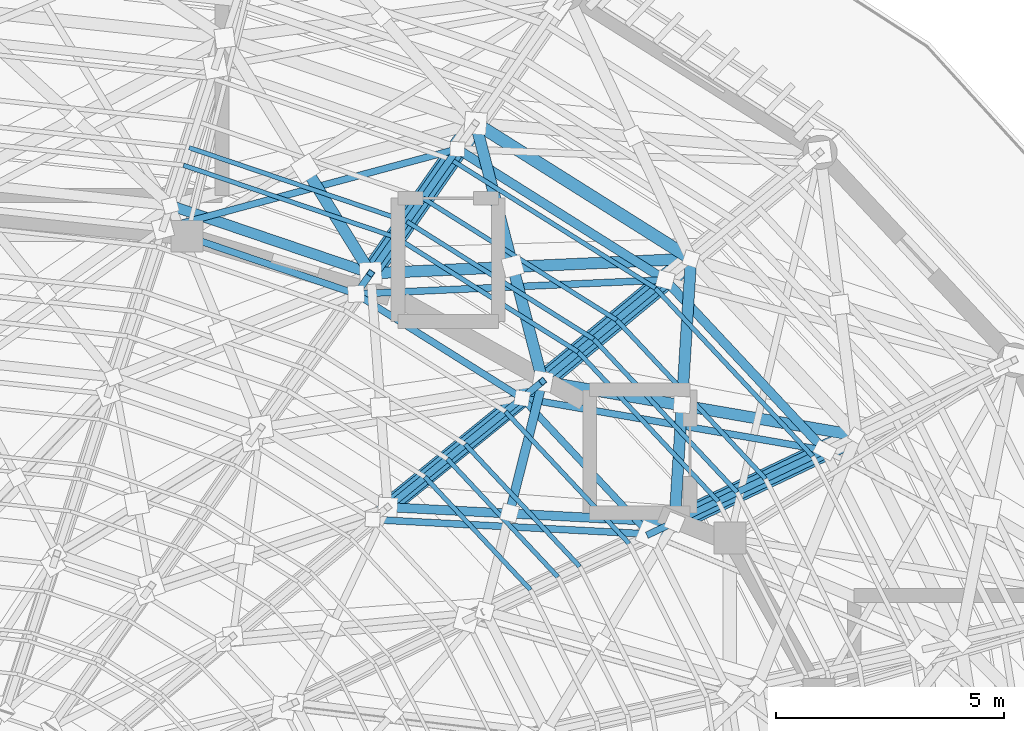
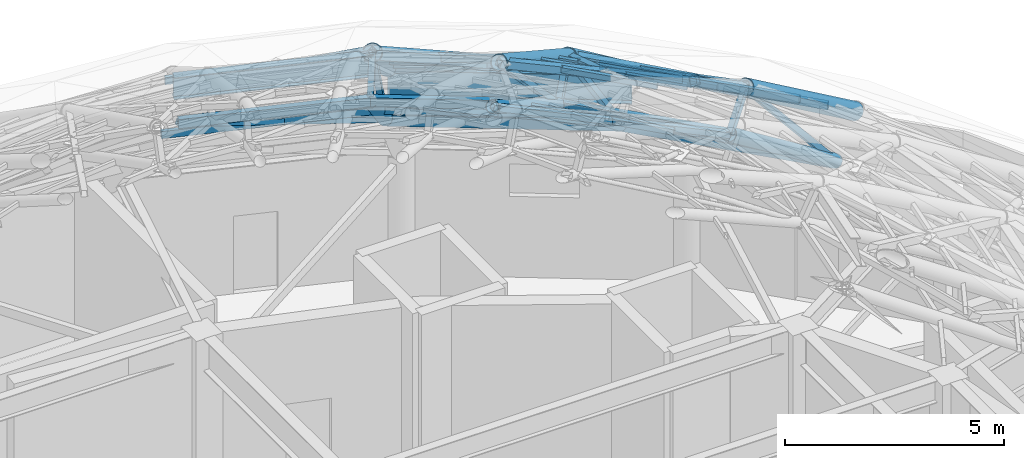
# One storey, part 32 of 50: 47 members, 2 beams.
"""IFC4 building model written with IfcOpenShell, lengths in metres."""

from ifc_helpers import new_model, si_unit, direction, frame, origin, origin_2d, place, context, subcontext, project, spatial, hollow_rectangle, hollow_circle, i_section, extrude, material, material_profile, profile_set, type_object, element, save


model = new_model("IFC4")

# Units and contexts
model_context = context("Model", 3, precision=1e-05, world=origin(), true_north=direction((0.0, 1.0)))
body_context = subcontext(model_context, "Body", "Model", "MODEL_VIEW")
ifc_project = project(units=[si_unit("LENGTHUNIT", "METRE"), si_unit("AREAUNIT", "SQUARE_METRE"), si_unit("VOLUMEUNIT", "CUBIC_METRE"), si_unit("PLANEANGLEUNIT", "RADIAN"), si_unit("MASSUNIT", "GRAM", prefix="KILO")], contexts=[model_context])

# Site, building, storey
site_placement = place(None, origin())
site = spatial("IfcSite", under=ifc_project, at=site_placement, CompositionType="ELEMENT")
building_placement = place(site_placement, origin())
building = spatial("IfcBuilding", under=site, at=building_placement, Name="Cinderbank Siding Concert Hall", CompositionType="ELEMENT")
storey_placement = place(building_placement, frame((0.0, 0.0, 23.699951171875)))
storey = spatial("IfcBuildingStorey", under=building, at=storey_placement, Name="L06", CompositionType="ELEMENT", Elevation=23.699951171875)

# Beams
ifc_material_1 = material(Name="Structural steel AS/NZS 3679.1 Grade 350 (340 MPa)", Category="steel")
ifc_material_profile_1 = material_profile(ifc_material_1, i_section(OverallWidth=0.22900390625, OverallDepth=0.611572265625, WebThickness=0.011962890625, FlangeThickness=0.01953125, at=origin_2d()), Name="610UB125", Category="LoadBearing")
ifc_profile_set_1 = profile_set([ifc_material_profile_1], Name="Structural steel AS/NZS 3679.1 Grade 350 (340 MPa)")
beam_type_1 = type_object("IfcBeamType", Name="BM-UB610H 610UB125", PredefinedType="BEAM", material=ifc_profile_set_1)
beam_1_placement = place(storey_placement, frame((131.10009765625, 56.90380859375, 10.994140625), z_axis=(-0.94703248812, 0.321137768636, 0.0), x_axis=(-0.321137768636, -0.94703248812, 0.0)))
element("IfcBeam", 1, at=beam_1_placement, inside=storey, type_object=beam_type_1, Name="L06 Beam BM-UB610H #2058", PredefinedType="BEAM", context=body_context, shape_type="SweptSolid", body=[
    extrude(i_section(OverallWidth=0.22900390625, OverallDepth=0.611572265625, WebThickness=0.011962890625, FlangeThickness=0.01953125, at=origin_2d()), origin(), (0.0, 0.0, 1.0), 4.63525390625),
])
ifc_material_2 = material(Name="Structural steel welded plate section AS/NZS 3679.2 / AS/NZS 3678 Grade 350 (340 MPa)", Category="steel")
ifc_material_profile_2 = material_profile(ifc_material_2, i_section(OverallWidth=0.27490234375, OverallDepth=0.800048828125, WebThickness=0.010009765625, FlangeThickness=0.01611328125, at=origin_2d()), Name="800WB146", Category="LoadBearing")
ifc_profile_set_2 = profile_set([ifc_material_profile_2], Name="Structural steel welded plate section AS/NZS 3679.2 / AS/NZS 3678 Grade 350 (340 MPa)")
beam_type_2 = type_object("IfcBeamType", Name="BM-WB800 800WB146", PredefinedType="BEAM", material=ifc_profile_set_2)
beam_2_placement = place(storey_placement, frame((138.1220703125, 57.222900390625, 7.699951171875), z_axis=(-0.846357040172, 0.532615959723, 0.0), x_axis=(-0.532615959723, -0.846357040172, 0.0)))
element("IfcBeam", 2, at=beam_2_placement, inside=storey, type_object=beam_type_2, Name="L06 Beam BM-WB800 #2036", PredefinedType="BEAM", context=body_context, shape_type="SweptSolid", body=[
    extrude(i_section(OverallWidth=0.27490234375, OverallDepth=0.800048828125, WebThickness=0.010009765625, FlangeThickness=0.01611328125, at=origin_2d()), origin(), (0.0, 0.0, 1.0), 5.579345703125),
])

# Members
ifc_material_3 = material(Name="Structural steel hollow section AS/NZS 1163 Grade C350L0 (350 MPa)", Category="steel")
ifc_material_profile_3 = material_profile(ifc_material_3, hollow_rectangle(XDim=0.14990234375, YDim=0.14990234375, WallThickness=0.008056640625, at=origin_2d()), Name="150x150x8.0SHS", Category="LoadBearing")
ifc_profile_set_3 = profile_set([ifc_material_profile_3], Name="Structural steel hollow section AS/NZS 1163 Grade C350L0 (350 MPa)")
member_type_1 = type_object("IfcMemberType", Name="BR-SHS150 150x150x8.0SHS Roof Truss", PredefinedType="BRACE", material=ifc_profile_set_3)
member_1_placement = place(storey_placement, frame((141.05419921875, 53.022705078125, 7.150146484375), z_axis=(-0.595826022207, -0.28461450653, 0.750989969263), x_axis=(0.431029288808, -0.902337936801, 0.0)))
element("IfcMember", 3, at=member_1_placement, inside=storey, type_object=member_type_1, Name="L06 Diagonal Brace BR-SHS150 #DWBD-BR-SHS150-L06-0842", PredefinedType="BRACE", context=body_context, shape_type="SweptSolid", body=[
    extrude(hollow_rectangle(XDim=0.14990234375, YDim=0.14990234375, WallThickness=0.008056640625, at=origin_2d()), origin(), (0.0, 0.0, 1.0), 5.52587890625),
])
member_2_placement = place(storey_placement, frame((141.05419921875, 53.022705078125, 7.150146484375), z_axis=(-0.89005157631, 0.153494434401, 0.42924078338), x_axis=(-0.169946985741, -0.985453206417, 0.0)))
element("IfcMember", 4, at=member_2_placement, inside=storey, type_object=member_type_1, Name="L06 Diagonal Brace BR-SHS150 #DBRI-BR-SHS150-L06-0851", PredefinedType="BRACE", context=body_context, shape_type="SweptSolid", body=[
    extrude(hollow_rectangle(XDim=0.14990234375, YDim=0.14990234375, WallThickness=0.008056640625, at=origin_2d()), origin(), (0.0, 0.0, 1.0), 7.454833984375),
])
member_3_placement = place(storey_placement, frame((137.557861328125, 56.760009765625, 7.150146484375), z_axis=(-0.495860875676, -0.410215453815, 0.765405300103), x_axis=(0.637427368277, -0.770510447801, 0.0)))
element("IfcMember", 5, at=member_3_placement, inside=storey, type_object=member_type_1, Name="L06 Diagonal Brace BR-SHS150 #DWBD-BR-SHS150-L06-0854", PredefinedType="BRACE", context=body_context, shape_type="SweptSolid", body=[
    extrude(hollow_rectangle(XDim=0.14990234375, YDim=0.14990234375, WallThickness=0.008056640625, at=origin_2d()), origin(), (0.0, 0.0, 1.0), 5.421875),
])
member_4_placement = place(storey_placement, frame((137.557861328125, 56.760009765625, 7.150146484375), z_axis=(-0.903486566452, -0.041046856906, 0.426646434158), x_axis=(0.045384804689, -0.998969578868, 0.0)))
element("IfcMember", 6, at=member_4_placement, inside=storey, type_object=member_type_1, Name="L06 Diagonal Brace BR-SHS150 #DBRI-BR-SHS150-L06-0863", PredefinedType="BRACE", context=body_context, shape_type="SweptSolid", body=[
    extrude(hollow_rectangle(XDim=0.14990234375, YDim=0.14990234375, WallThickness=0.008056640625, at=origin_2d()), origin(), (0.0, 0.0, 1.0), 7.500244140625),
])
member_5_placement = place(storey_placement, frame((133.0009765625, 59.6279296875, 7.150146484375), z_axis=(-0.357602166858, -0.512474310018, 0.780698899596), x_axis=(0.820080431066, -0.572248273551, 0.0)))
element("IfcMember", 7, at=member_5_placement, inside=storey, type_object=member_type_1, Name="L06 Diagonal Brace BR-SHS150 #DWBD-BR-SHS150-L06-0866", PredefinedType="BRACE", context=body_context, shape_type="SweptSolid", body=[
    extrude(hollow_rectangle(XDim=0.14990234375, YDim=0.14990234375, WallThickness=0.008056640625, at=origin_2d()), origin(), (0.0, 0.0, 1.0), 5.315673828125),
])
member_6_placement = place(storey_placement, frame((133.0009765625, 59.6279296875, 7.150146484375), z_axis=(-0.870943219989, -0.234658276888, 0.431733020098), x_axis=(0.260152884743, -0.965567437603, 0.0)))
element("IfcMember", 8, at=member_6_placement, inside=storey, type_object=member_type_1, Name="L06 Diagonal Brace BR-SHS150 #DBRI-BR-SHS150-L06-0875", PredefinedType="BRACE", context=body_context, shape_type="SweptSolid", body=[
    extrude(hollow_rectangle(XDim=0.14990234375, YDim=0.14990234375, WallThickness=0.008056640625, at=origin_2d()), origin(), (0.0, 0.0, 1.0), 7.411865234375),
])
member_7_placement = place(storey_placement, frame((137.2099609375, 51.189208984375, 10.35009765625), z_axis=(0.488677434703, 0.23093252224, 0.841346857713), x_axis=(-0.427260709515, 0.9041284677, 0.0)))
element("IfcMember", 9, at=member_7_placement, inside=storey, type_object=member_type_1, Name="L06 Diagonal Brace BR-SHS150 #DWBV-BR-SHS150-L06-1133", PredefinedType="BRACE", context=body_context, shape_type="SweptSolid", body=[
    extrude(hollow_rectangle(XDim=0.14990234375, YDim=0.14990234375, WallThickness=0.008056640625, at=origin_2d()), origin(), (0.0, 0.0, 1.0), 1.129150390625),
])
member_8_placement = place(storey_placement, frame((137.2099609375, 51.189208984375, 10.35009765625), z_axis=(-0.912563633328, 0.047633412445, 0.406151047206), x_axis=(-0.052126397388, -0.998640495221, 0.0)))
element("IfcMember", 10, at=member_8_placement, inside=storey, type_object=member_type_1, Name="L06 Diagonal Brace BR-SHS150 #DBRI-BR-SHS150-L06-1139", PredefinedType="BRACE", context=body_context, shape_type="SweptSolid", body=[
    extrude(hollow_rectangle(XDim=0.14990234375, YDim=0.14990234375, WallThickness=0.008056640625, at=origin_2d()), origin(), (0.0, 0.0, 1.0), 6.647705078125),
])
member_9_placement = place(storey_placement, frame((134.4189453125, 54.1669921875, 10.35009765625), z_axis=(-0.559402260271, -0.45390543328, 0.693569728898), x_axis=(0.630083355632, -0.776527504314, 0.0)))
element("IfcMember", 11, at=member_9_placement, inside=storey, type_object=member_type_1, Name="L06 Diagonal Brace BR-SHS150 #DWBD-BR-SHS150-L06-1142", PredefinedType="BRACE", context=body_context, shape_type="SweptSolid", body=[
    extrude(hollow_rectangle(XDim=0.14990234375, YDim=0.14990234375, WallThickness=0.008056640625, at=origin_2d()), origin(), (0.0, 0.0, 1.0), 5.262451171875),
])
member_10_placement = place(storey_placement, frame((134.4189453125, 54.1669921875, 10.35009765625), z_axis=(0.404280440723, 0.331093629232, 0.852604441655), x_axis=(-0.633603073906, 0.773658286801, 0.0)))
element("IfcMember", 12, at=member_10_placement, inside=storey, type_object=member_type_1, Name="L06 Diagonal Brace BR-SHS150 #DWBV-BR-SHS150-L06-1145", PredefinedType="BRACE", context=body_context, shape_type="SweptSolid", body=[
    extrude(hollow_rectangle(XDim=0.14990234375, YDim=0.14990234375, WallThickness=0.008056640625, at=origin_2d()), origin(), (0.0, 0.0, 1.0), 1.1142578125),
])
member_11_placement = place(storey_placement, frame((130.781494140625, 56.4521484375, 10.35009765625), z_axis=(0.289889748337, 0.41095481565, 0.864337939294), x_axis=(-0.817151439928, 0.57642304276, 0.0)))
element("IfcMember", 13, at=member_11_placement, inside=storey, type_object=member_type_1, Name="L06 Diagonal Brace BR-SHS150 #DWBV-BR-SHS150-L06-1157", PredefinedType="BRACE", context=body_context, shape_type="SweptSolid", body=[
    extrude(hollow_rectangle(XDim=0.14990234375, YDim=0.14990234375, WallThickness=0.008056640625, at=origin_2d()), origin(), (0.0, 0.0, 1.0), 1.09912109375),
])
ifc_material_profile_4 = material_profile(ifc_material_3, hollow_rectangle(XDim=0.199951171875, YDim=0.199951171875, WallThickness=0.009033203125, at=origin_2d()), Name="200x200x9.0SHS", Category="LoadBearing")
ifc_profile_set_4 = profile_set([ifc_material_profile_4], Name="Structural steel hollow section AS/NZS 1163 Grade C350L0 (350 MPa)")
member_type_2 = type_object("IfcMemberType", Name="BR-SHS200 200x200x9.0SHS Roof Truss", PredefinedType="BRACE", material=ifc_profile_set_4)
member_12_placement = place(storey_placement, frame((137.76171875, 51.449951171875, 11.300048828125), z_axis=(-0.91778749702, 0.047938803242, 0.394167453575), x_axis=(-0.052161901849, -0.998638641349, 0.0)))
element("IfcMember", 14, at=member_12_placement, inside=storey, type_object=member_type_2, Name="L06 Diagonal Brace BR-SHS200 #DBRO-BR-SHS200-L06-1137", PredefinedType="BRACE", context=body_context, shape_type="SweptSolid", body=[
    extrude(hollow_rectangle(XDim=0.199951171875, YDim=0.199951171875, WallThickness=0.009033203125, at=origin_2d()), origin(), (0.0, 0.0, 1.0), 6.849853515625),
])
member_13_placement = place(storey_placement, frame((134.869384765625, 54.535888671875, 11.300048828125), z_axis=(-0.21609386443, -0.860515338134, 0.461320706876), x_axis=(0.969886034318, -0.243559192875, 0.0)))
element("IfcMember", 15, at=member_13_placement, inside=storey, type_object=member_type_2, Name="L06 Diagonal Brace BR-SHS200 #DBRO-BR-SHS200-L06-1138", PredefinedType="BRACE", context=body_context, shape_type="SweptSolid", body=[
    extrude(hollow_rectangle(XDim=0.199951171875, YDim=0.199951171875, WallThickness=0.009033203125, at=origin_2d()), origin(), (0.0, 0.0, 1.0), 3.35205078125),
])
ifc_material_profile_5 = material_profile(ifc_material_3, hollow_rectangle(XDim=0.25, YDim=0.25, WallThickness=0.010009765625, at=origin_2d()), Name="250x250x10.0SHS", Category="LoadBearing")
ifc_profile_set_5 = profile_set([ifc_material_profile_5], Name="Structural steel hollow section AS/NZS 1163 Grade C350L0 (350 MPa)")
member_type_3 = type_object("IfcMemberType", Name="BR-SHS250 250x250x10.0SHS Roof Truss", PredefinedType="BRACE", material=ifc_profile_set_5)
member_14_placement = place(storey_placement, frame((141.745361328125, 53.35009765625, 8.10009765625), z_axis=(-0.895746615899, 0.154475263223, 0.416863758507), x_axis=(-0.169945582962, -0.985453448333, 0.0)))
element("IfcMember", 16, at=member_14_placement, inside=storey, type_object=member_type_3, Name="L06 Diagonal Brace BR-SHS250 #DBRO-BR-SHS250-L06-0849", PredefinedType="BRACE", context=body_context, shape_type="SweptSolid", body=[
    extrude(hollow_rectangle(XDim=0.25, YDim=0.25, WallThickness=0.010009765625, at=origin_2d()), origin(), (0.0, 0.0, 1.0), 7.67626953125),
])
member_15_placement = place(storey_placement, frame((138.1220703125, 57.222900390625, 8.10009765625), z_axis=(-0.054508863619, -0.873341279453, 0.484049370819), x_axis=(0.99805790849, -0.06229294744, 0.0)))
element("IfcMember", 17, at=member_15_placement, inside=storey, type_object=member_type_3, Name="L06 Diagonal Brace BR-SHS250 #DBRO-BR-SHS250-L06-0850", PredefinedType="BRACE", context=body_context, shape_type="SweptSolid", body=[
    extrude(hollow_rectangle(XDim=0.25, YDim=0.25, WallThickness=0.010009765625, at=origin_2d()), origin(), (0.0, 0.0, 1.0), 3.663818359375),
])
member_16_placement = place(storey_placement, frame((137.920654296875, 53.9970703125, 9.88818359375), z_axis=(-0.054493803643, -0.873323891566, 0.484082436972), x_axis=(0.998058901293, -0.062277038699, 0.0)))
element("IfcMember", 18, at=member_16_placement, inside=storey, type_object=member_type_3, Name="L06 Diagonal Brace BR-SHS250 #DBRO-BR-SHS250-L06-0850-S83", PredefinedType="BRACE", context=body_context, shape_type="SweptSolid", body=[
    extrude(hollow_rectangle(XDim=0.25, YDim=0.25, WallThickness=0.010009765625, at=origin_2d()), origin(), (0.0, 0.0, 1.0), 2.91650390625),
])
member_17_placement = place(storey_placement, frame((138.1220703125, 57.222900390625, 8.10009765625), z_axis=(-0.909191444617, -0.041315388989, 0.414323491572), x_axis=(0.045395057045, -0.998969113034, 0.0)))
element("IfcMember", 19, at=member_17_placement, inside=storey, type_object=member_type_3, Name="L06 Diagonal Brace BR-SHS250 #DBRO-BR-SHS250-L06-0861", PredefinedType="BRACE", context=body_context, shape_type="SweptSolid", body=[
    extrude(hollow_rectangle(XDim=0.25, YDim=0.25, WallThickness=0.010009765625, at=origin_2d()), origin(), (0.0, 0.0, 1.0), 7.723388671875),
])
member_18_placement = place(storey_placement, frame((133.39990234375, 60.194580078125, 8.10009765625), z_axis=(0.220459199995, -0.849048864989, 0.480118491624), x_axis=(0.967903941428, 0.25132043325, 0.0)))
element("IfcMember", 20, at=member_18_placement, inside=storey, type_object=member_type_3, Name="L06 Diagonal Brace BR-SHS250 #DBRO-BR-SHS250-L06-0862", PredefinedType="BRACE", context=body_context, shape_type="SweptSolid", body=[
    extrude(hollow_rectangle(XDim=0.25, YDim=0.25, WallThickness=0.010009765625, at=origin_2d()), origin(), (0.0, 0.0, 1.0), 3.693359375),
])
member_19_placement = place(storey_placement, frame((134.220703125, 57.033447265625, 9.8876953125), z_axis=(0.220515942132, -0.849032024093, 0.480122214993), x_axis=(0.967886991631, 0.251385702519, 0.0)))
element("IfcMember", 21, at=member_19_placement, inside=storey, type_object=member_type_3, Name="L06 Diagonal Brace BR-SHS250 #DBRO-BR-SHS250-L06-0862-S84", PredefinedType="BRACE", context=body_context, shape_type="SweptSolid", body=[
    extrude(hollow_rectangle(XDim=0.25, YDim=0.25, WallThickness=0.010009765625, at=origin_2d()), origin(), (0.0, 0.0, 1.0), 2.941650390625),
])
member_20_placement = place(storey_placement, frame((129.6875, 59.181884765625, 9.886962890625), z_axis=(0.466179092517, -0.751800399634, 0.466340232888), x_axis=(0.849870873879, 0.526990984489, 0.0)))
element("IfcMember", 22, at=member_20_placement, inside=storey, type_object=member_type_3, Name="L06 Diagonal Brace BR-SHS250 #DBRO-BR-SHS250-L06-0874-S85", PredefinedType="BRACE", context=body_context, shape_type="SweptSolid", body=[
    extrude(hollow_rectangle(XDim=0.25, YDim=0.25, WallThickness=0.010009765625, at=origin_2d()), origin(), (0.0, 0.0, 1.0), 3.0302734375),
])
ifc_material_profile_6 = material_profile(ifc_material_3, hollow_circle(Radius=0.161865234375, WallThickness=0.0126953125, at=origin_2d()), Name="323.9x12.7CHS", Category="LoadBearing")
ifc_profile_set_6 = profile_set([ifc_material_profile_6], Name="Structural steel hollow section AS/NZS 1163 Grade C350L0 (350 MPa)")
member_type_4 = type_object("IfcMemberType", Name="DR-CHS323 323.9x12.7CHS Roof Truss", PredefinedType="RAFTER", material=ifc_profile_set_6)
member_21_placement = place(storey_placement, frame((134.4189453125, 54.1669921875, 10.35009765625), z_axis=(-0.653777773802, -0.531170075614, 0.53891833635), x_axis=(0.630575201595, -0.776128156385, 0.0)))
element("IfcMember", 23, at=member_21_placement, inside=storey, type_object=member_type_4, Name="L06 Roof Truss Member DR-CHS323 #1141", PredefinedType="RAFTER", context=body_context, shape_type="SweptSolid", body=[
    extrude(hollow_circle(Radius=0.161865234375, WallThickness=0.0126953125, at=origin_2d()), origin(), (0.0, 0.0, 1.0), 5.010009765625),
])
ifc_material_profile_7 = material_profile(ifc_material_3, hollow_circle(Radius=0.177734375, WallThickness=0.0126953125, at=origin_2d()), Name="355.6x12.7CHS", Category="LoadBearing")
ifc_profile_set_7 = profile_set([ifc_material_profile_7], Name="Structural steel hollow section AS/NZS 1163 Grade C350L0 (350 MPa)")
member_type_5 = type_object("IfcMemberType", Name="DR-CHS355 355.6x12.7CHS Roof Truss", PredefinedType="RAFTER", material=ifc_profile_set_7)
member_22_placement = place(storey_placement, frame((141.05419921875, 53.022705078125, 7.150146484375), z_axis=(-0.721618143881, -0.344173266896, 0.600676299495), x_axis=(0.430489767889, -0.902595457413, 0.0)))
element("IfcMember", 24, at=member_22_placement, inside=storey, type_object=member_type_5, Name="L06 Roof Truss Member DR-CHS355 #841", PredefinedType="RAFTER", context=body_context, shape_type="SweptSolid", body=[
    extrude(hollow_circle(Radius=0.177734375, WallThickness=0.0126953125, at=origin_2d()), origin(), (0.0, 0.0, 1.0), 5.3271484375),
])
member_23_placement = place(storey_placement, frame((137.557861328125, 56.760009765625, 7.150146484375), z_axis=(-0.606151109614, -0.500733525333, 0.61793751215), x_axis=(0.636881446996, -0.770961751627, 0.0)))
element("IfcMember", 25, at=member_23_placement, inside=storey, type_object=member_type_5, Name="L06 Roof Truss Member DR-CHS355 #853", PredefinedType="RAFTER", context=body_context, shape_type="SweptSolid", body=[
    extrude(hollow_circle(Radius=0.177734375, WallThickness=0.0126953125, at=origin_2d()), origin(), (0.0, 0.0, 1.0), 5.178466796875),
])
member_24_placement = place(storey_placement, frame((133.0009765625, 59.6279296875, 7.150146484375), z_axis=(-0.441681473621, -0.631986867107, 0.636796730256), x_axis=(0.819663892962, -0.572844745612, 0.0)))
element("IfcMember", 26, at=member_24_placement, inside=storey, type_object=member_type_5, Name="L06 Roof Truss Member DR-CHS355 #865", PredefinedType="RAFTER", context=body_context, shape_type="SweptSolid", body=[
    extrude(hollow_circle(Radius=0.177734375, WallThickness=0.0126953125, at=origin_2d()), origin(), (0.0, 0.0, 1.0), 5.025146484375),
])
ifc_material_profile_8 = material_profile(ifc_material_3, hollow_circle(Radius=0.203125, WallThickness=0.01611328125, at=origin_2d()), Name="406.4x16.0CHS", Category="LoadBearing")
ifc_profile_set_8 = profile_set([ifc_material_profile_8], Name="Structural steel hollow section AS/NZS 1163 Grade C350L0 (350 MPa)")
member_type_6 = type_object("IfcMemberType", Name="DR-CHS406 406.4x16.0CHS Roof Truss", PredefinedType="RAFTER", material=ifc_profile_set_8)
member_25_placement = place(storey_placement, frame((134.869384765625, 54.535888671875, 11.300048828125), z_axis=(-0.66042333152, -0.536537547977, 0.525327024619), x_axis=(0.630552692376, -0.776146443745, 0.0)))
element("IfcMember", 27, at=member_25_placement, inside=storey, type_object=member_type_6, Name="L06 Roof Truss Member DR-CHS406 #1140", PredefinedType="RAFTER", context=body_context, shape_type="SweptSolid", body=[
    extrude(hollow_circle(Radius=0.203125, WallThickness=0.01611328125, at=origin_2d()), origin(), (0.0, 0.0, 1.0), 5.1396484375),
])
ifc_material_profile_9 = material_profile(ifc_material_3, hollow_circle(Radius=0.228515625, WallThickness=0.01611328125, at=origin_2d()), Name="457.0x16.0CHS", Category="LoadBearing")
ifc_profile_set_9 = profile_set([ifc_material_profile_9], Name="Structural steel hollow section AS/NZS 1163 Grade C350L0 (350 MPa)")
member_type_7 = type_object("IfcMemberType", Name="DR-CHS457 457.0x16.0CHS Roof Truss", PredefinedType="RAFTER", material=ifc_profile_set_9)
member_26_placement = place(storey_placement, frame((141.745361328125, 53.35009765625, 8.10009765625), z_axis=(-0.73073263404, -0.348550106682, 0.586977546998), x_axis=(0.430519669304, -0.902581195429, 0.0)))
element("IfcMember", 28, at=member_26_placement, inside=storey, type_object=member_type_7, Name="L06 Roof Truss Member DR-CHS457 #840", PredefinedType="RAFTER", context=body_context, shape_type="SweptSolid", body=[
    extrude(hollow_circle(Radius=0.228515625, WallThickness=0.01611328125, at=origin_2d()), origin(), (0.0, 0.0, 1.0), 5.45166015625),
])
member_27_placement = place(storey_placement, frame((138.1220703125, 57.222900390625, 8.10009765625), z_axis=(-0.6142646629, -0.507438030464, 0.604305857287), x_axis=(0.636882942431, -0.770960516265, 0.0)))
element("IfcMember", 29, at=member_27_placement, inside=storey, type_object=member_type_7, Name="L06 Roof Truss Member DR-CHS457 #852", PredefinedType="RAFTER", context=body_context, shape_type="SweptSolid", body=[
    extrude(hollow_circle(Radius=0.228515625, WallThickness=0.01611328125, at=origin_2d()), origin(), (0.0, 0.0, 1.0), 5.295166015625),
])
member_28_placement = place(storey_placement, frame((133.39990234375, 60.194580078125, 8.10009765625), z_axis=(-0.447955638563, -0.640976014033, 0.623286046141), x_axis=(0.819668785682, -0.572837744723, 0.0)))
element("IfcMember", 30, at=member_28_placement, inside=storey, type_object=member_type_7, Name="L06 Roof Truss Member DR-CHS457 #864", PredefinedType="RAFTER", context=body_context, shape_type="SweptSolid", body=[
    extrude(hollow_circle(Radius=0.228515625, WallThickness=0.01611328125, at=origin_2d()), origin(), (0.0, 0.0, 1.0), 5.134033203125),
])
ifc_material_profile_10 = material_profile(ifc_material_3, hollow_rectangle(XDim=0.10009765625, YDim=0.14990234375, WallThickness=0.006103515625, at=origin_2d()), Name="150x100x6.0RHS", Category="LoadBearing")
ifc_profile_set_10 = profile_set([ifc_material_profile_10], Name="Structural steel hollow section AS/NZS 1163 Grade C350L0 (350 MPa)")
member_type_8 = type_object("IfcMemberType", Name="PR-RHS150 150x100x6.0RHS Roof Truss", PredefinedType="PURLIN", material=ifc_profile_set_10)
member_29_placement = place(storey_placement, frame((135.204345703125, 50.248291015625, 11.699951171875), z_axis=(-0.683448492996, 0.729998737959, 0.0), x_axis=(-0.729998737959, -0.683448492996, 0.0)))
element("IfcMember", 31, at=member_29_placement, inside=storey, type_object=member_type_8, Name="L06 Roof Truss Member PR-RHS150 #1132", PredefinedType="PURLIN", context=body_context, shape_type="SweptSolid", body=[
    extrude(hollow_rectangle(XDim=0.10009765625, YDim=0.14990234375, WallThickness=0.006103515625, at=origin_2d()), origin(), (0.0, 0.0, 1.0), 3.54541015625),
])
member_30_placement = place(storey_placement, frame((136.763916015625, 50.98193359375, 11.947998046875), z_axis=(-0.683658272234, 0.729802279255, 0.0), x_axis=(-0.729802279255, -0.683658272234, 0.0)))
element("IfcMember", 32, at=member_30_placement, inside=storey, type_object=member_type_8, Name="L06 Roof Truss Member PR-RHS150 #1134", PredefinedType="PURLIN", context=body_context, shape_type="SweptSolid", body=[
    extrude(hollow_rectangle(XDim=0.10009765625, YDim=0.14990234375, WallThickness=0.006103515625, at=origin_2d()), origin(), (0.0, 0.0, 1.0), 3.962890625),
])
member_31_placement = place(storey_placement, frame((135.68310546875, 50.47509765625, 12.650146484375), z_axis=(-0.683430316367, 0.730015755084, 0.0), x_axis=(-0.730015755084, -0.683430316367, 0.0)))
element("IfcMember", 33, at=member_31_placement, inside=storey, type_object=member_type_8, Name="L06 Roof Truss Member PR-RHS150 #1135", PredefinedType="PURLIN", context=body_context, shape_type="SweptSolid", body=[
    extrude(hollow_rectangle(XDim=0.10009765625, YDim=0.14990234375, WallThickness=0.006103515625, at=origin_2d()), origin(), (0.0, 0.0, 1.0), 3.673828125),
])
member_32_placement = place(storey_placement, frame((134.602294921875, 49.968017578125, 13.35205078125), z_axis=(-0.683165814119, 0.730263288424, 0.0), x_axis=(-0.730263288424, -0.683165814119, 0.0)))
element("IfcMember", 34, at=member_32_placement, inside=storey, type_object=member_type_8, Name="L06 Roof Truss Member PR-RHS150 #1136", PredefinedType="PURLIN", context=body_context, shape_type="SweptSolid", body=[
    extrude(hollow_rectangle(XDim=0.10009765625, YDim=0.14990234375, WallThickness=0.006103515625, at=origin_2d()), origin(), (0.0, 0.0, 1.0), 3.385009765625),
])
ifc_material_profile_11 = material_profile(ifc_material_3, hollow_rectangle(XDim=0.10009765625, YDim=0.199951171875, WallThickness=0.008056640625, at=origin_2d()), Name="200x100x8.0RHS", Category="LoadBearing")
ifc_profile_set_11 = profile_set([ifc_material_profile_11], Name="Structural steel hollow section AS/NZS 1163 Grade C350L0 (350 MPa)")
member_type_9 = type_object("IfcMemberType", Name="PR-RHS200 200x100x8.0RHS Roof Truss", PredefinedType="PURLIN", material=ifc_profile_set_11)
member_33_placement = place(storey_placement, frame((139.132080078125, 52.10595703125, 8.75), z_axis=(-0.683476646555, 0.729972378665, 0.0), x_axis=(-0.729972378665, -0.683476646555, 0.0)))
element("IfcMember", 35, at=member_33_placement, inside=storey, type_object=member_type_9, Name="L06 Roof Truss Member PR-RHS200 #844", PredefinedType="PURLIN", context=body_context, shape_type="SweptSolid", body=[
    extrude(hollow_rectangle(XDim=0.10009765625, YDim=0.199951171875, WallThickness=0.008056640625, at=origin_2d()), origin(), (0.0, 0.0, 1.0), 4.599609375),
])
member_34_placement = place(storey_placement, frame((140.789306640625, 52.89404296875, 8.8681640625), z_axis=(-0.683350217783, 0.730090733989, 0.0), x_axis=(-0.730090733989, -0.683350217783, 0.0)))
element("IfcMember", 36, at=member_34_placement, inside=storey, type_object=member_type_9, Name="L06 Roof Truss Member PR-RHS200 #846", PredefinedType="PURLIN", context=body_context, shape_type="SweptSolid", body=[
    extrude(hollow_rectangle(XDim=0.10009765625, YDim=0.199951171875, WallThickness=0.008056640625, at=origin_2d()), origin(), (0.0, 0.0, 1.0), 5.045654296875),
])
member_35_placement = place(storey_placement, frame((139.75341796875, 52.39990234375, 9.699951171875), z_axis=(-0.683470748623, 0.729977900882, 0.0), x_axis=(-0.729977900882, -0.683470748623, 0.0)))
element("IfcMember", 37, at=member_35_placement, inside=storey, type_object=member_type_9, Name="L06 Roof Truss Member PR-RHS200 #847", PredefinedType="PURLIN", context=body_context, shape_type="SweptSolid", body=[
    extrude(hollow_rectangle(XDim=0.10009765625, YDim=0.199951171875, WallThickness=0.008056640625, at=origin_2d()), origin(), (0.0, 0.0, 1.0), 4.7666015625),
])
member_36_placement = place(storey_placement, frame((138.7177734375, 51.906005859375, 10.531982421875), z_axis=(-0.683662376866, 0.72979843413, 0.0), x_axis=(-0.72979843413, -0.683662376866, 0.0)))
element("IfcMember", 38, at=member_36_placement, inside=storey, type_object=member_type_9, Name="L06 Roof Truss Member PR-RHS200 #848", PredefinedType="PURLIN", context=body_context, shape_type="SweptSolid", body=[
    extrude(hollow_rectangle(XDim=0.10009765625, YDim=0.199951171875, WallThickness=0.008056640625, at=origin_2d()), origin(), (0.0, 0.0, 1.0), 4.4873046875),
])
member_37_placement = place(storey_placement, frame((135.98828125, 55.463623046875, 8.75), z_axis=(-0.846524186767, 0.532350261781, 0.0), x_axis=(-0.532350261781, -0.846524186767, 0.0)))
element("IfcMember", 39, at=member_37_placement, inside=storey, type_object=member_type_9, Name="L06 Roof Truss Member PR-RHS200 #856", PredefinedType="PURLIN", context=body_context, shape_type="SweptSolid", body=[
    extrude(hollow_rectangle(XDim=0.10009765625, YDim=0.199951171875, WallThickness=0.008056640625, at=origin_2d()), origin(), (0.0, 0.0, 1.0), 4.839599609375),
])
member_38_placement = place(storey_placement, frame((137.34130859375, 56.577880859375, 8.8681640625), z_axis=(-0.846426317262, 0.532505858602, 0.0), x_axis=(-0.532505858602, -0.846426317262, 0.0)))
element("IfcMember", 40, at=member_38_placement, inside=storey, type_object=member_type_9, Name="L06 Roof Truss Member PR-RHS200 #858", PredefinedType="PURLIN", context=body_context, shape_type="SweptSolid", body=[
    extrude(hollow_rectangle(XDim=0.10009765625, YDim=0.199951171875, WallThickness=0.008056640625, at=origin_2d()), origin(), (0.0, 0.0, 1.0), 5.30859375),
])
member_39_placement = place(storey_placement, frame((136.49560546875, 55.87939453125, 9.699951171875), z_axis=(-0.846523734458, 0.532350981026, 0.0), x_axis=(-0.532350981026, -0.846523734458, 0.0)))
element("IfcMember", 41, at=member_39_placement, inside=storey, type_object=member_type_9, Name="L06 Roof Truss Member PR-RHS200 #859", PredefinedType="PURLIN", context=body_context, shape_type="SweptSolid", body=[
    extrude(hollow_rectangle(XDim=0.10009765625, YDim=0.199951171875, WallThickness=0.008056640625, at=origin_2d()), origin(), (0.0, 0.0, 1.0), 5.015380859375),
])
member_40_placement = place(storey_placement, frame((135.64990234375, 55.180908203125, 10.531982421875), z_axis=(-0.846656516305, 0.532139778065, 0.0), x_axis=(-0.532139778065, -0.846656516305, 0.0)))
element("IfcMember", 42, at=member_40_placement, inside=storey, type_object=member_type_9, Name="L06 Roof Truss Member PR-RHS200 #860", PredefinedType="PURLIN", context=body_context, shape_type="SweptSolid", body=[
    extrude(hollow_rectangle(XDim=0.10009765625, YDim=0.199951171875, WallThickness=0.008056640625, at=origin_2d()), origin(), (0.0, 0.0, 1.0), 4.721923828125),
])
member_41_placement = place(storey_placement, frame((131.891357421875, 58.0400390625, 8.75), z_axis=(-0.946929459637, 0.321441438634, 0.0), x_axis=(-0.321441438634, -0.946929459637, 0.0)))
element("IfcMember", 43, at=member_41_placement, inside=storey, type_object=member_type_9, Name="L06 Roof Truss Member PR-RHS200 #868", PredefinedType="PURLIN", context=body_context, shape_type="SweptSolid", body=[
    extrude(hollow_rectangle(XDim=0.10009765625, YDim=0.199951171875, WallThickness=0.008056640625, at=origin_2d()), origin(), (0.0, 0.0, 1.0), 5.03857421875),
])
member_42_placement = place(storey_placement, frame((131.652099609375, 57.693603515625, 10.531982421875), z_axis=(-0.946986523989, 0.321273284579, 0.0), x_axis=(-0.321273284579, -0.946986523989, 0.0)))
element("IfcMember", 44, at=member_42_placement, inside=storey, type_object=member_type_9, Name="L06 Roof Truss Member PR-RHS200 #872", PredefinedType="PURLIN", context=body_context, shape_type="SweptSolid", body=[
    extrude(hollow_rectangle(XDim=0.10009765625, YDim=0.199951171875, WallThickness=0.008056640625, at=origin_2d()), origin(), (0.0, 0.0, 1.0), 4.916748046875),
])
ifc_material_profile_12 = material_profile(ifc_material_3, hollow_rectangle(XDim=0.14990234375, YDim=0.25, WallThickness=0.009033203125, at=origin_2d()), Name="250x150x9.0RHS", Category="LoadBearing")
ifc_profile_set_12 = profile_set([ifc_material_profile_12], Name="Structural steel hollow section AS/NZS 1163 Grade C350L0 (350 MPa)")
member_type_10 = type_object("IfcMemberType", Name="PR-RHS250 250x150x9.0RHS Roof Truss", PredefinedType="PURLIN", material=ifc_profile_set_12)
member_43_placement = place(storey_placement, frame((137.2099609375, 51.189208984375, 10.35009765625), z_axis=(-0.683855561271, 0.729617414347, 0.0), x_axis=(-0.729617414347, -0.683855561271, 0.0)))
element("IfcMember", 45, at=member_43_placement, inside=storey, type_object=member_type_10, Name="L06 Roof Truss Member PR-RHS250 #843", PredefinedType="PURLIN", context=body_context, shape_type="SweptSolid", body=[
    extrude(hollow_rectangle(XDim=0.14990234375, YDim=0.25, WallThickness=0.009033203125, at=origin_2d()), origin(), (0.0, 0.0, 1.0), 4.081298828125),
])
member_44_placement = place(storey_placement, frame((134.4189453125, 54.1669921875, 10.35009765625), z_axis=(-0.846766752739, 0.531964346979, 0.0), x_axis=(-0.531964346979, -0.846766752739, 0.0)))
element("IfcMember", 46, at=member_44_placement, inside=storey, type_object=member_type_10, Name="L06 Roof Truss Member PR-RHS250 #855", PredefinedType="PURLIN", context=body_context, shape_type="SweptSolid", body=[
    extrude(hollow_rectangle(XDim=0.14990234375, YDim=0.25, WallThickness=0.009033203125, at=origin_2d()), origin(), (0.0, 0.0, 1.0), 4.295654296875),
])
member_45_placement = place(storey_placement, frame((130.781494140625, 56.4521484375, 10.35009765625), z_axis=(-0.947021990072, 0.321168725625, 0.0), x_axis=(-0.321168725625, -0.947021990072, 0.0)))
element("IfcMember", 47, at=member_45_placement, inside=storey, type_object=member_type_10, Name="L06 Roof Truss Member PR-RHS250 #867", PredefinedType="PURLIN", context=body_context, shape_type="SweptSolid", body=[
    extrude(hollow_rectangle(XDim=0.14990234375, YDim=0.25, WallThickness=0.009033203125, at=origin_2d()), origin(), (0.0, 0.0, 1.0), 4.472900390625),
])
ifc_material_profile_13 = material_profile(ifc_material_3, hollow_rectangle(XDim=0.199951171875, YDim=0.300048828125, WallThickness=0.010009765625, at=origin_2d()), Name="300x200x10.0RHS", Category="LoadBearing")
ifc_profile_set_13 = profile_set([ifc_material_profile_13], Name="Structural steel hollow section AS/NZS 1163 Grade C350L0 (350 MPa)")
member_type_11 = type_object("IfcMemberType", Name="PR-RHS300 300x200x10.0RHS Roof Truss", PredefinedType="PURLIN", material=ifc_profile_set_13)
member_46_placement = place(storey_placement, frame((141.05419921875, 53.022705078125, 7.150146484375), z_axis=(-0.683172721189, 0.730256826755, 0.0), x_axis=(-0.730256826755, -0.683172721189, 0.0)))
element("IfcMember", 48, at=member_46_placement, inside=storey, type_object=member_type_11, Name="L06 Roof Truss Member PR-RHS300 #555", PredefinedType="PURLIN", context=body_context, shape_type="SweptSolid", body=[
    extrude(hollow_rectangle(XDim=0.199951171875, YDim=0.300048828125, WallThickness=0.010009765625, at=origin_2d()), origin(), (0.0, 0.0, 1.0), 5.11767578125),
])
member_47_placement = place(storey_placement, frame((137.557861328125, 56.760009765625, 7.150146484375), z_axis=(-0.846335804731, 0.532649702554, 0.0), x_axis=(-0.532649702554, -0.846335804731, 0.0)))
element("IfcMember", 49, at=member_47_placement, inside=storey, type_object=member_type_11, Name="L06 Roof Truss Member PR-RHS300 #567", PredefinedType="PURLIN", context=body_context, shape_type="SweptSolid", body=[
    extrude(hollow_rectangle(XDim=0.199951171875, YDim=0.300048828125, WallThickness=0.010009765625, at=origin_2d()), origin(), (0.0, 0.0, 1.0), 5.38427734375),
])

save(model, "model.ifc")
